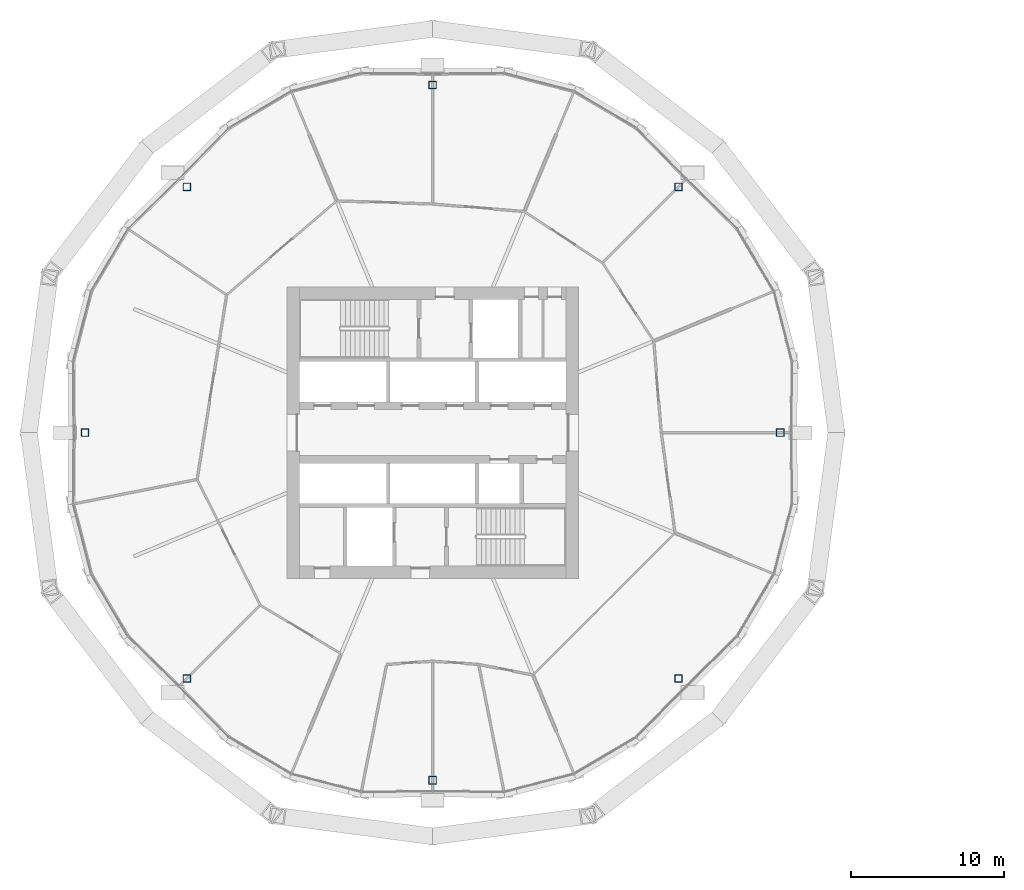
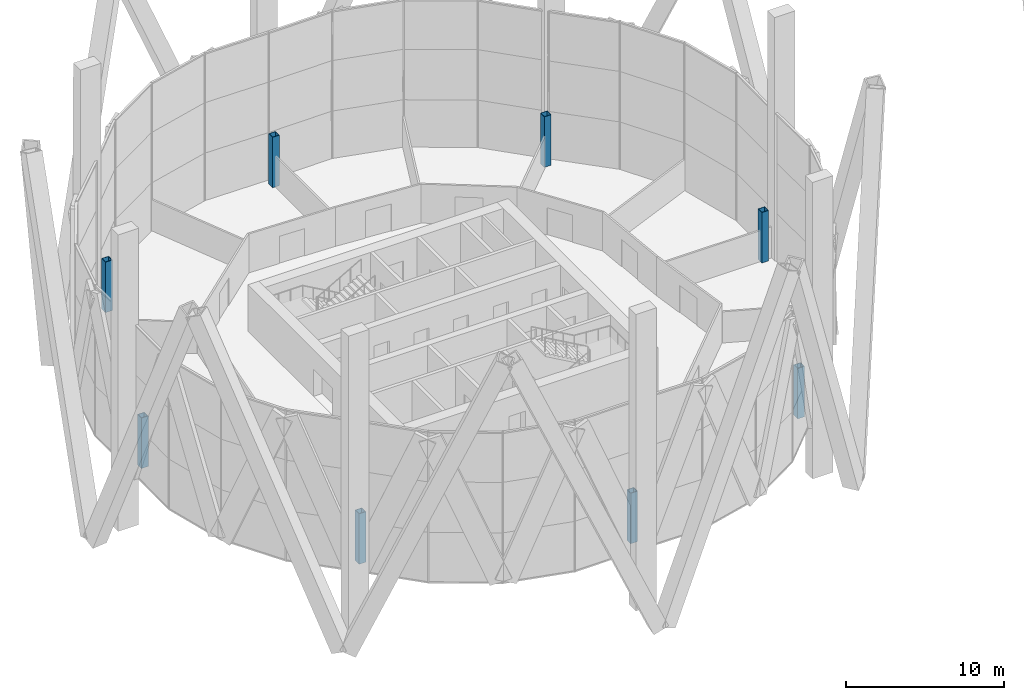
# One storey, part 1 of 26: 8 columns.
"""IFC4 building model written with IfcOpenShell, lengths in metres."""

from ifc_helpers import new_model, si_unit, direction, frame, origin, origin_2d, place, context, subcontext, project, spatial, hollow_rectangle, extrude, material, material_profile, profile_set, type_object, element, save


model = new_model("IFC4")

# Units and contexts
model_context = context("Model", 3, precision=1e-05, world=origin(), true_north=direction((0.0, 1.0)))
body_context = subcontext(model_context, "Body", "Model", "MODEL_VIEW")
ifc_project = project(units=[si_unit("LENGTHUNIT", "METRE"), si_unit("AREAUNIT", "SQUARE_METRE"), si_unit("VOLUMEUNIT", "CUBIC_METRE"), si_unit("PLANEANGLEUNIT", "RADIAN"), si_unit("MASSUNIT", "GRAM", prefix="KILO")], contexts=[model_context])

# Site, building, storey
site_placement = place(None, origin())
site = spatial("IfcSite", under=ifc_project, at=site_placement, CompositionType="ELEMENT")
building_placement = place(site_placement, origin())
building = spatial("IfcBuilding", under=site, at=building_placement, Name="Ogive Gate Towers", CompositionType="ELEMENT")
storey_placement = place(building_placement, frame((0.0, 0.0, 76.199951171875)))
storey = spatial("IfcBuildingStorey", under=building, at=storey_placement, Name="L17", CompositionType="ELEMENT", Elevation=76.199951171875)

# Columns
ifc_material = material(Name="Steel SM460", Category="steel")
ifc_material_profile = material_profile(ifc_material, hollow_rectangle(XDim=0.5, YDim=0.5, WallThickness=0.030029296875, at=origin_2d()), Name="BX 500x500x30")
ifc_profile_set = profile_set([ifc_material_profile], Name="Steel SM460")
column_type = type_object("IfcColumnType", Name="Perimeter post BX 500x500x30", PredefinedType="COLUMN", material=ifc_profile_set)
for number, where, z_axis, x_axis, name in (
    (1, (-13.330078125, 0.0, 0.0), (0.0, 0.0, 1.0), (1.0, 0.0, 0.0), "T1/L17/SCL001"),
    (2, (-19.969970703125, 16.030029296875, 0.0), (0.0, 0.0, 1.0), (1.0, 0.0, 0.0), "T1/L17/SCL002"),
    (3, (-36.0, 22.669921875, 0.0), (0.0, 0.0, 1.0), (1.0, 0.0, 0.0), "T1/L17/SCL003"),
    (4, (-52.030029296875, 16.030029296875, 0.0), (0.0, 0.0, 1.0), (1.0, 0.0, 0.0), "T1/L17/SCL004"),
    (5, (-58.669921875, 0.0, 0.0), (0.0, 0.0, 1.0), (1.0, 0.0, 0.0), "T1/L17/SCL005"),
    (6, (-52.030029296875, -16.030029296875, 0.0), (0.0, 0.0, 1.0), (1.0, 0.0, 0.0), "T1/L17/SCL006"),
    (7, (-36.0, -22.669921875, 0.0), (0.0, 0.0, 1.0), (1.0, 0.0, 0.0), "T1/L17/SCL007"),
    (8, (-19.969970703125, -16.030029296875, 0.0), (0.0, 0.0, 1.0), (1.0, 0.0, 0.0), "T1/L17/SCL008"),
):
    element("IfcColumn", number, at=place(storey_placement, frame(where, z_axis=z_axis, x_axis=x_axis)), inside=storey, type_object=column_type, Name=name, PredefinedType="COLUMN", context=body_context, shape_type="SweptSolid", body=[
        extrude(hollow_rectangle(XDim=0.5, YDim=0.5, WallThickness=0.030029296875, at=origin_2d()), origin(), (0.0, 0.0, 1.0), 3.900146484375),
    ])

save(model, "model.ifc")
